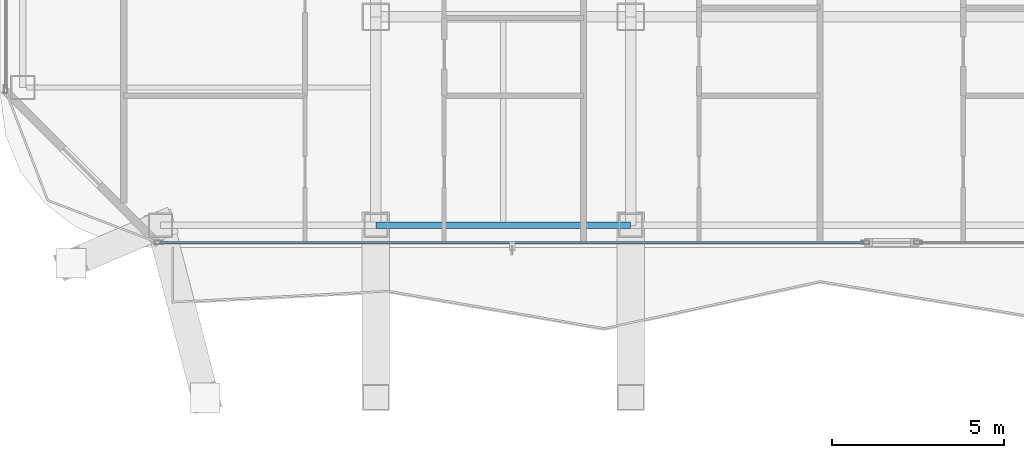
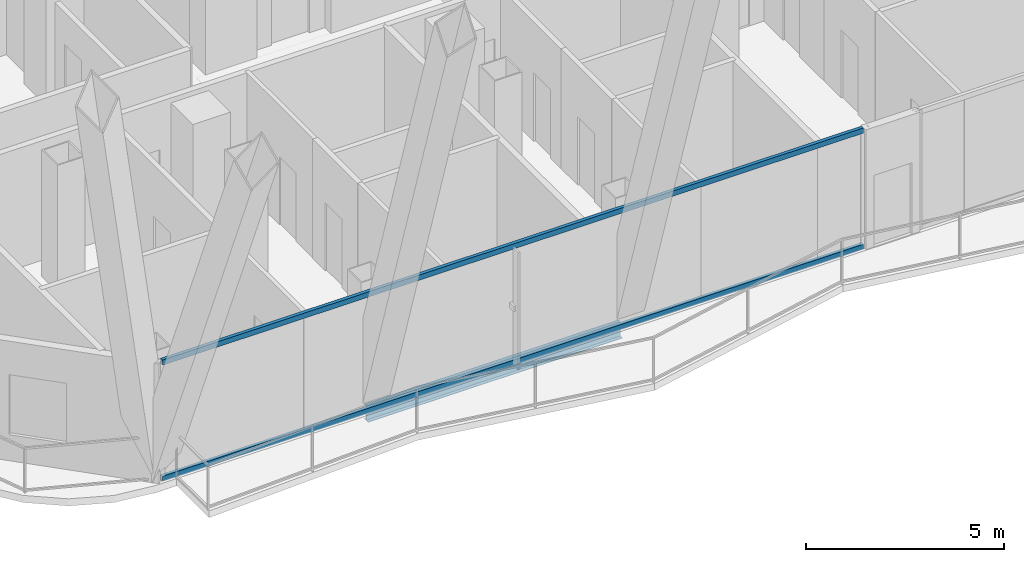
# One storey, part 3 of 34: 2 members, 1 beam, 1 element without a shape of its own.
"""IFC4 building model written with IfcOpenShell, lengths in metres."""

from ifc_helpers import new_model, si_unit, direction, frame, origin, origin_2d, place, context, subcontext, project, spatial, hollow_rectangle, i_section, extrude, material, layer, layer_set, material_profile, profile_set, type_object, element, aggregate, save


model = new_model("IFC4")

# Units and contexts
model_context = context("Model", 3, precision=1e-05, world=origin(), true_north=direction((0.0, 1.0)))
body_context = subcontext(model_context, "Body", "Model", "MODEL_VIEW")
ifc_project = project(units=[si_unit("LENGTHUNIT", "METRE"), si_unit("AREAUNIT", "SQUARE_METRE"), si_unit("VOLUMEUNIT", "CUBIC_METRE"), si_unit("PLANEANGLEUNIT", "RADIAN"), si_unit("MASSUNIT", "GRAM", prefix="KILO")], contexts=[model_context])

# Site, building, storey
site_placement = place(None, origin())
site = spatial("IfcSite", under=ifc_project, at=site_placement, CompositionType="ELEMENT")
building_placement = place(site_placement, origin())
building = spatial("IfcBuilding", under=site, at=building_placement, Name="Khorvyn Point Tower", CompositionType="ELEMENT")
storey_placement = place(building_placement, frame((0.0, 0.0, 175.800048828125)))
storey = spatial("IfcBuildingStorey", under=building, at=storey_placement, Name="L43", CompositionType="ELEMENT", Elevation=175.800048828125)

# Curtain wall, members
ifc_material_1 = material(Name="Anodised aluminium 6063-T6 and laminated Low-E glass", Category="aluminium")
ifc_layer = layer(ifc_material_1, 0.18994140625)
ifc_layer_set = layer_set([ifc_layer], Name="Stick-Built Acoustic Curtain Wall CW-SYS-03")
curtain_wall_type = type_object("IfcCurtainWallType", Name="Stick-Built Acoustic Curtain Wall CW-SYS-03", PredefinedType="NOTDEFINED", material=ifc_layer_set)
curtain_wall_placement = place(storey_placement, origin())
curtain_wall = element("IfcCurtainWall", 1, at=curtain_wall_placement, inside=storey, type_object=curtain_wall_type, Name="Curtain Wall", PredefinedType="NOTDEFINED")
ifc_material_2 = material(Name="Anodised aluminium 6063-T6", Category="aluminium")
ifc_material_profile_1 = material_profile(ifc_material_2, hollow_rectangle(XDim=0.10009765625, YDim=0.159912109375, WallThickness=0.00439453125, at=origin_2d()))
ifc_profile_set_1 = profile_set([ifc_material_profile_1], Name="Anodised aluminium 6063-T6 ALU-TRN-100x160")
member_type = type_object("IfcMemberType", Name="Anodised Aluminium 6063-T6 Transom ALU-TRN-100x160", PredefinedType="USERDEFINED", material=ifc_profile_set_1)
member_1_placement = place(storey_placement, frame((-0.64306640625, -23.64990234375, 0.050048828125), z_axis=(-1.0, 0.0, 0.0), x_axis=(0.0, -1.0, 0.0)))
member_1 = element("IfcMember", 2, at=member_1_placement, type_object=member_type, Name="Transom", ObjectType="TRANSOM", PredefinedType="USERDEFINED", context=body_context, shape_type="SweptSolid", body=[
    extrude(hollow_rectangle(XDim=0.10009765625, YDim=0.159912109375, WallThickness=0.00439453125, at=origin_2d()), origin(), (0.0, 0.0, 1.0), 20.406982421875),
])
member_2_placement = place(storey_placement, frame((-0.64306640625, -23.64990234375, 3.6298828125), z_axis=(-1.0, 0.0, 0.0), x_axis=(0.0, -1.0, 0.0)))
member_2 = element("IfcMember", 3, at=member_2_placement, type_object=member_type, Name="Transom", ObjectType="TRANSOM", PredefinedType="USERDEFINED", context=body_context, shape_type="SweptSolid", body=[
    extrude(hollow_rectangle(XDim=0.10009765625, YDim=0.159912109375, WallThickness=0.00439453125, at=origin_2d()), origin(), (0.0, 0.0, 1.0), 20.406982421875),
])
aggregate(curtain_wall, [member_1, member_2])

# Beam
ifc_material_3 = material(Name="Steel S355", Category="steel")
ifc_material_profile_2 = material_profile(ifc_material_3, i_section(OverallWidth=0.199951171875, OverallDepth=0.449951171875, WebThickness=0.009033203125, FlangeThickness=0.013916015625, at=origin_2d()))
ifc_profile_set_2 = profile_set([ifc_material_profile_2], Name="Steel S355 H450x200x9x14")
beam_type = type_object("IfcBeamType", Name="Steel S355 Spandrel H450x200x9x14", PredefinedType="SPANDREL", material=ifc_profile_set_2)
beam_placement = place(storey_placement, frame((-14.800048828125, -23.14990234375, -0.445068359375), z_axis=(1.0, 0.0, 0.0), x_axis=(0.0, 1.0, 0.0)))
element("IfcBeam", 4, at=beam_placement, inside=storey, type_object=beam_type, Name="Beam", PredefinedType="SPANDREL", context=body_context, shape_type="SweptSolid", body=[
    extrude(i_section(OverallWidth=0.199951171875, OverallDepth=0.449951171875, WebThickness=0.009033203125, FlangeThickness=0.013916015625, at=origin_2d()), origin(), (0.0, 0.0, 1.0), 7.400146484375),
])

save(model, "model.ifc")
